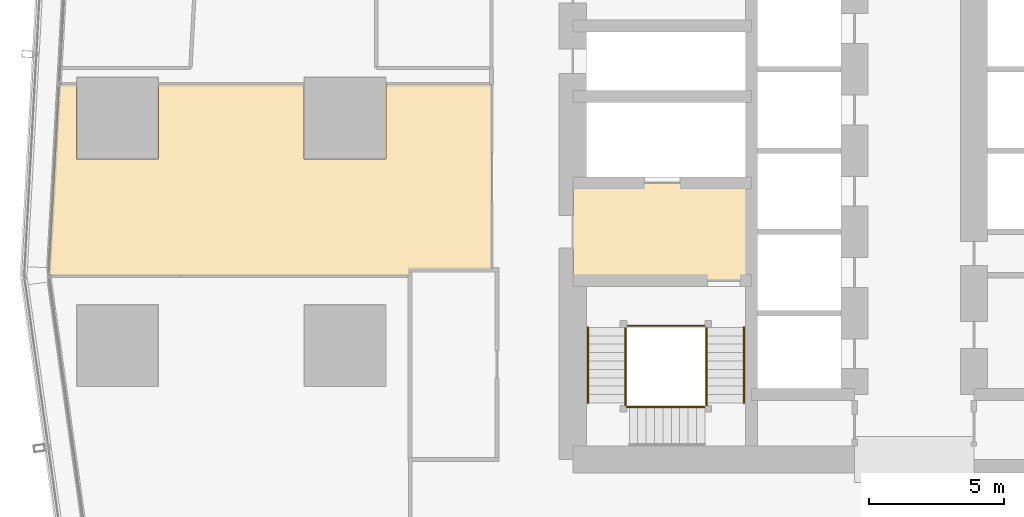
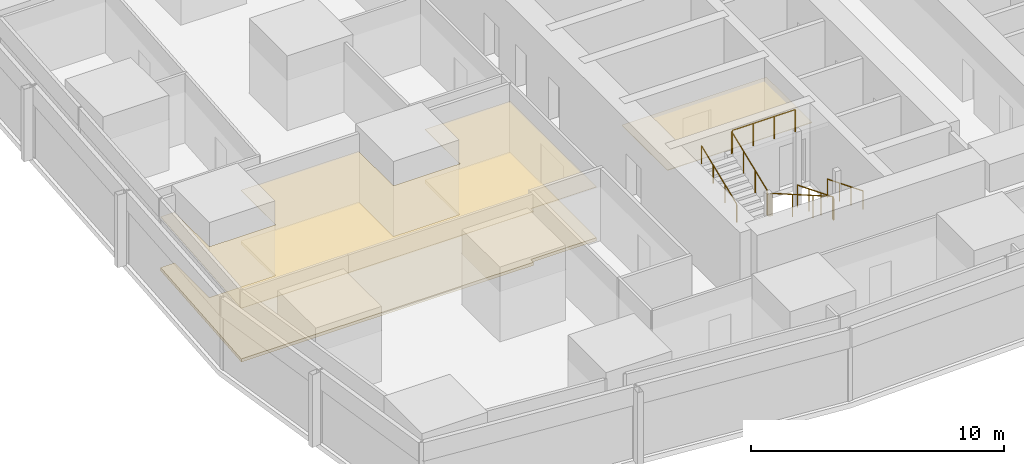
# One storey, part 34 of 39: 9 railings, 3 coverings.
"""IFC4 building model written with IfcOpenShell, lengths in metres."""

from ifc_helpers import new_model, si_unit, direction, frame, origin, origin_2d, place, context, subcontext, project, spatial, polyline, circle, outline, extrude, material, layer, layer_set, type_object, element, save


model = new_model("IFC4")

# Units and contexts
model_context = context("Model", 3, precision=1e-05, world=origin(), true_north=direction((0.0, 1.0)))
body_context = subcontext(model_context, "Body", "Model", "MODEL_VIEW")
ifc_project = project(units=[si_unit("LENGTHUNIT", "METRE"), si_unit("AREAUNIT", "SQUARE_METRE"), si_unit("VOLUMEUNIT", "CUBIC_METRE"), si_unit("PLANEANGLEUNIT", "RADIAN"), si_unit("MASSUNIT", "GRAM", prefix="KILO")], contexts=[model_context])

# Site, building, storey
site_placement = place(None, origin())
site = spatial("IfcSite", under=ifc_project, at=site_placement, CompositionType="ELEMENT")
building_placement = place(site_placement, origin())
building = spatial("IfcBuilding", under=site, at=building_placement, Name="Rekha Terrace Tower", CompositionType="ELEMENT")
storey_placement = place(building_placement, frame((0.0, 0.0, 155.300048828125)))
storey = spatial("IfcBuildingStorey", under=building, at=storey_placement, Name="L39", CompositionType="ELEMENT", Elevation=155.300048828125)

# Coverings
ifc_material_1 = material(Name="Mineral fibre tile in exposed grid", Category="finish")
ifc_layer_1 = layer(ifc_material_1, 0.02001953125)
ifc_layer_set_1 = layer_set([ifc_layer_1], Name="Mineral fibre tile in exposed grid")
covering_type_1 = type_object("IfcCoveringType", Name="CL1 600x1200 office grid ceiling", PredefinedType="CEILING", material=ifc_layer_set_1)
covering_1_placement = place(storey_placement, frame((0.0, 0.0, 2.579833984375)))
element("IfcCovering", 1, at=covering_1_placement, inside=storey, type_object=covering_type_1, Name="Ceiling L39-21", PredefinedType="CEILING", context=body_context, shape_type="SweptSolid", body=[
    extrude(outline(polyline([(19.199951171875, 27.781005859375), (19.199951171875, 28.0), (22.199951171875, 28.0), (22.199951171875, 34.833984375), (18.31494140625, 34.833984375), (18.31494140625, 32.0849609375), (15.284912109375, 32.0849609375), (15.284912109375, 34.833984375), (9.9150390625, 34.833984375), (9.9150390625, 32.0849609375), (6.885009765625, 32.0849609375), (6.885009765625, 34.833984375), (6.2490234375, 34.833984375), (5.862060546875, 27.781005859375), (19.199951171875, 27.781005859375)])), origin(), (0.0, 0.0, 1.0), 0.02001953125),
])
ifc_material_2 = material(Name="Powder-coated aluminium pan", Category="aluminium")
ifc_layer_2 = layer(ifc_material_2, 0.030029296875)
ifc_layer_set_2 = layer_set([ifc_layer_2], Name="Powder-coated aluminium pan")
covering_type_2 = type_object("IfcCoveringType", Name="CL3 300x1200 metal pan ceiling", PredefinedType="CEILING", material=ifc_layer_set_2)
covering_2_placement = place(storey_placement, frame((0.0, 0.0, 2.570068359375)))
element("IfcCovering", 2, at=covering_2_placement, inside=storey, type_object=covering_type_2, Name="Ceiling L39-FLB1", PredefinedType="CEILING", context=body_context, shape_type="SweptSolid", body=[
    extrude(outline(polyline([(31.800048828125, 31.199951171875), (25.199951171875, 31.199951171875), (25.199951171875, 27.60009765625), (31.800048828125, 27.60009765625), (31.800048828125, 31.199951171875)])), origin(), (0.0, 0.0, 1.0), 0.02978515625),
])

# Railings
ifc_material_3 = material(Name="Stainless steel balustrade", Category="steel")
railing_type_1 = type_object("IfcRailingType", Name="GR1 1100 stair guard", PredefinedType="GUARDRAIL", material=ifc_material_3)
railing_1_placement = place(storey_placement, frame((30.135009765625, 25.875, 0.125)))
element("IfcRailing", 3, at=railing_1_placement, inside=storey, type_object=railing_type_1, Name="Guard ST1 L39 flight 1", PredefinedType="GUARDRAIL", context=body_context, shape_type="SweptSolid", body=[
    extrude(circle(Radius=0.02392578125, at=origin_2d()), frame((0.0, 0.0, 1.076171875), z_axis=(0.0, -0.927443287984, 0.373963831907), x_axis=(1.0, 0.0, 0.0)), (0.0, 0.0, 1.0), 3.00830078125),
    extrude(circle(Radius=0.02099609375, at=origin_2d()), origin(), (0.0, 0.0, 1.0), 1.052001953125),
    extrude(circle(Radius=0.02099609375, at=origin_2d()), frame((0.0, -0.929931640625, 0.375)), (0.0, 0.0, 1.0), 1.052001953125),
    extrude(circle(Radius=0.02099609375, at=origin_2d()), frame((0.0, -1.860107421875, 0.75)), (0.0, 0.0, 1.0), 1.052001953125),
    extrude(circle(Radius=0.02099609375, at=origin_2d()), frame((0.0, -2.7900390625, 1.125)), (0.0, 0.0, 1.0), 1.052001953125),
])
railing_2_placement = place(storey_placement, frame((30.074951171875, 22.93994140625, 1.375)))
element("IfcRailing", 4, at=railing_2_placement, inside=storey, type_object=railing_type_1, Name="Guard ST1 L39 flight 2", PredefinedType="GUARDRAIL", context=body_context, shape_type="SweptSolid", body=[
    extrude(circle(Radius=0.02392578125, at=origin_2d()), frame((0.0, 0.0, 1.076171875), z_axis=(-0.927443287984, 0.0, 0.373963831907), x_axis=(0.0, -1.0, 0.0)), (0.0, 0.0, 1.0), 3.00830078125),
    extrude(circle(Radius=0.02099609375, at=origin_2d()), origin(), (0.0, 0.0, 1.0), 1.052001953125),
    extrude(circle(Radius=0.02099609375, at=origin_2d()), frame((-0.929931640625, 0.0, 0.375)), (0.0, 0.0, 1.0), 1.052001953125),
    extrude(circle(Radius=0.02099609375, at=origin_2d()), frame((-1.860107421875, 0.0, 0.75)), (0.0, 0.0, 1.0), 1.052001953125),
    extrude(circle(Radius=0.02099609375, at=origin_2d()), frame((-2.7900390625, 0.0, 1.125)), (0.0, 0.0, 1.0), 1.052001953125),
])
railing_3_placement = place(storey_placement, frame((27.139892578125, 23.0849609375, 2.625)))
element("IfcRailing", 5, at=railing_3_placement, inside=storey, type_object=railing_type_1, Name="Guard ST1 L39 flight 3", PredefinedType="GUARDRAIL", context=body_context, shape_type="SweptSolid", body=[
    extrude(circle(Radius=0.02392578125, at=origin_2d()), frame((0.0, 0.0, 1.076171875), z_axis=(0.0, 0.927443287984, 0.373963831907), x_axis=(-1.0, 0.0, 0.0)), (0.0, 0.0, 1.0), 3.00830078125),
    extrude(circle(Radius=0.02099609375, at=origin_2d()), origin(), (0.0, 0.0, 1.0), 1.052001953125),
    extrude(circle(Radius=0.02099609375, at=origin_2d()), frame((0.0, 0.929931640625, 0.375)), (0.0, 0.0, 1.0), 1.052001953125),
    extrude(circle(Radius=0.02099609375, at=origin_2d()), frame((0.0, 1.860107421875, 0.75)), (0.0, 0.0, 1.0), 1.052001953125),
    extrude(circle(Radius=0.02099609375, at=origin_2d()), frame((0.0, 2.7900390625, 1.125)), (0.0, 0.0, 1.0), 1.052001953125),
])
railing_4_placement = place(storey_placement, frame((30.135009765625, 23.0849609375, 1.25)))
element("IfcRailing", 6, at=railing_4_placement, inside=storey, type_object=railing_type_1, Name="Guard ST1 L39 landing 1", PredefinedType="GUARDRAIL", context=body_context, shape_type="SweptSolid", body=[
    extrude(circle(Radius=0.02392578125, at=origin_2d()), frame((0.0, 0.0, 1.076171875), z_axis=(0.0, -1.0, 0.0), x_axis=(1.0, 0.0, 0.0)), (0.0, 0.0, 1.0), 0.0849609375),
    extrude(circle(Radius=0.02099609375, at=origin_2d()), origin(), (0.0, 0.0, 1.0), 1.052001953125),
    extrude(circle(Radius=0.02099609375, at=origin_2d()), frame((0.0, -0.0849609375, 0.0)), (0.0, 0.0, 1.0), 1.052001953125),
])
railing_5_placement = place(storey_placement, frame((27.284912109375, 22.93994140625, 2.5)))
element("IfcRailing", 7, at=railing_5_placement, inside=storey, type_object=railing_type_1, Name="Guard ST1 L39 landing 2", PredefinedType="GUARDRAIL", context=body_context, shape_type="SweptSolid", body=[
    extrude(circle(Radius=0.02392578125, at=origin_2d()), frame((0.0, 0.0, 1.076171875), z_axis=(-1.0, 0.0, 0.0), x_axis=(0.0, -1.0, 0.0)), (0.0, 0.0, 1.0), 0.0849609375),
    extrude(circle(Radius=0.02099609375, at=origin_2d()), origin(), (0.0, 0.0, 1.0), 1.052001953125),
    extrude(circle(Radius=0.02099609375, at=origin_2d()), frame((-0.0849609375, 0.0, 0.0)), (0.0, 0.0, 1.0), 1.052001953125),
])
railing_6_placement = place(storey_placement, frame((27.139892578125, 23.0849609375, 2.5)))
element("IfcRailing", 8, at=railing_6_placement, inside=storey, type_object=railing_type_1, Name="Guard ST1 L39 landing 3", PredefinedType="GUARDRAIL", context=body_context, shape_type="SweptSolid", body=[
    extrude(circle(Radius=0.02392578125, at=origin_2d()), frame((0.0, 0.0, 1.076171875), z_axis=(0.0, -1.0, 0.0), x_axis=(1.0, 0.0, 0.0)), (0.0, 0.0, 1.0), 0.0849609375),
    extrude(circle(Radius=0.02099609375, at=origin_2d()), origin(), (0.0, 0.0, 1.0), 1.052001953125),
    extrude(circle(Radius=0.02099609375, at=origin_2d()), frame((0.0, -0.0849609375, 0.0)), (0.0, 0.0, 1.0), 1.052001953125),
])
railing_7_placement = place(storey_placement, frame((30.074951171875, 25.93505859375, 3.75)))
element("IfcRailing", 9, at=railing_7_placement, inside=storey, type_object=railing_type_1, Name="Guard ST1 L39 landing 4", PredefinedType="GUARDRAIL", context=body_context, shape_type="SweptSolid", body=[
    extrude(circle(Radius=0.02392578125, at=origin_2d()), frame((0.0, 0.0, 1.076171875), z_axis=(-1.0, 0.0, 0.0), x_axis=(0.0, -1.0, 0.0)), (0.0, 0.0, 1.0), 2.875),
    extrude(circle(Radius=0.02099609375, at=origin_2d()), origin(), (0.0, 0.0, 1.0), 1.052001953125),
    extrude(circle(Radius=0.02099609375, at=origin_2d()), frame((-0.958251953125, 0.0, 0.0)), (0.0, 0.0, 1.0), 1.052001953125),
    extrude(circle(Radius=0.02099609375, at=origin_2d()), frame((-1.916748046875, 0.0, 0.0)), (0.0, 0.0, 1.0), 1.052001953125),
    extrude(circle(Radius=0.02099609375, at=origin_2d()), frame((-2.875, 0.0, 0.0)), (0.0, 0.0, 1.0), 1.052001953125),
])
ifc_material_4 = material(Name="Stainless steel tube", Category="steel")
railing_type_2 = type_object("IfcRailingType", Name="HR1 900 stair handrail", PredefinedType="HANDRAIL", material=ifc_material_4)
railing_8_placement = place(storey_placement, frame((31.514892578125, 25.875, 0.125)))
element("IfcRailing", 10, at=railing_8_placement, inside=storey, type_object=railing_type_2, Name="Handrail ST1 L39 flight 1", PredefinedType="HANDRAIL", context=body_context, shape_type="SweptSolid", body=[
    extrude(circle(Radius=0.02392578125, at=origin_2d()), frame((0.0, 0.0, 0.8759765625), z_axis=(0.0, -0.927443287984, 0.373963831907), x_axis=(1.0, 0.0, 0.0)), (0.0, 0.0, 1.0), 3.00830078125),
    extrude(circle(Radius=0.02099609375, at=origin_2d()), origin(), (0.0, 0.0, 1.0), 0.851806640625),
    extrude(circle(Radius=0.02099609375, at=origin_2d()), frame((0.0, -0.929931640625, 0.375)), (0.0, 0.0, 1.0), 0.851806640625),
    extrude(circle(Radius=0.02099609375, at=origin_2d()), frame((0.0, -1.860107421875, 0.75)), (0.0, 0.0, 1.0), 0.851806640625),
    extrude(circle(Radius=0.02099609375, at=origin_2d()), frame((0.0, -2.7900390625, 1.125)), (0.0, 0.0, 1.0), 0.851806640625),
])
railing_9_placement = place(storey_placement, frame((25.760009765625, 23.0849609375, 2.625)))
element("IfcRailing", 11, at=railing_9_placement, inside=storey, type_object=railing_type_2, Name="Handrail ST1 L39 flight 3", PredefinedType="HANDRAIL", context=body_context, shape_type="SweptSolid", body=[
    extrude(circle(Radius=0.02392578125, at=origin_2d()), frame((0.0, 0.0, 0.8759765625), z_axis=(0.0, 0.927443287984, 0.373963831907), x_axis=(-1.0, 0.0, 0.0)), (0.0, 0.0, 1.0), 3.00830078125),
    extrude(circle(Radius=0.02099609375, at=origin_2d()), origin(), (0.0, 0.0, 1.0), 0.851806640625),
    extrude(circle(Radius=0.02099609375, at=origin_2d()), frame((0.0, 0.929931640625, 0.375)), (0.0, 0.0, 1.0), 0.851806640625),
    extrude(circle(Radius=0.02099609375, at=origin_2d()), frame((0.0, 1.860107421875, 0.75)), (0.0, 0.0, 1.0), 0.851806640625),
    extrude(circle(Radius=0.02099609375, at=origin_2d()), frame((0.0, 2.7900390625, 1.125)), (0.0, 0.0, 1.0), 0.851806640625),
])

# Covering
ifc_material_5 = material(Name="Calcium sulphate panels on steel pedestals", Category="steel")
ifc_layer_3 = layer(ifc_material_5, 0.14990234375)
ifc_layer_set_3 = layer_set([ifc_layer_3], Name="Calcium sulphate panels on steel pedestals")
covering_type_3 = type_object("IfcCoveringType", Name="RF1 150 raised access floor", PredefinedType="FLOORING", material=ifc_layer_set_3)
covering_3_placement = place(storey_placement, origin())
element("IfcCovering", 12, at=covering_3_placement, inside=storey, type_object=covering_type_3, Name="Raised floor L39-21", PredefinedType="FLOORING", context=body_context, shape_type="SweptSolid", body=[
    extrude(outline(polyline([(19.199951171875, 27.781005859375), (19.199951171875, 28.0), (22.199951171875, 28.0), (22.199951171875, 34.833984375), (18.31494140625, 34.833984375), (18.31494140625, 32.0849609375), (15.284912109375, 32.0849609375), (15.284912109375, 34.833984375), (9.9150390625, 34.833984375), (9.9150390625, 32.0849609375), (6.885009765625, 32.0849609375), (6.885009765625, 34.833984375), (6.2490234375, 34.833984375), (5.862060546875, 27.781005859375), (19.199951171875, 27.781005859375)])), origin(), (0.0, 0.0, 1.0), 0.14990234375),
])

save(model, "model.ifc")
